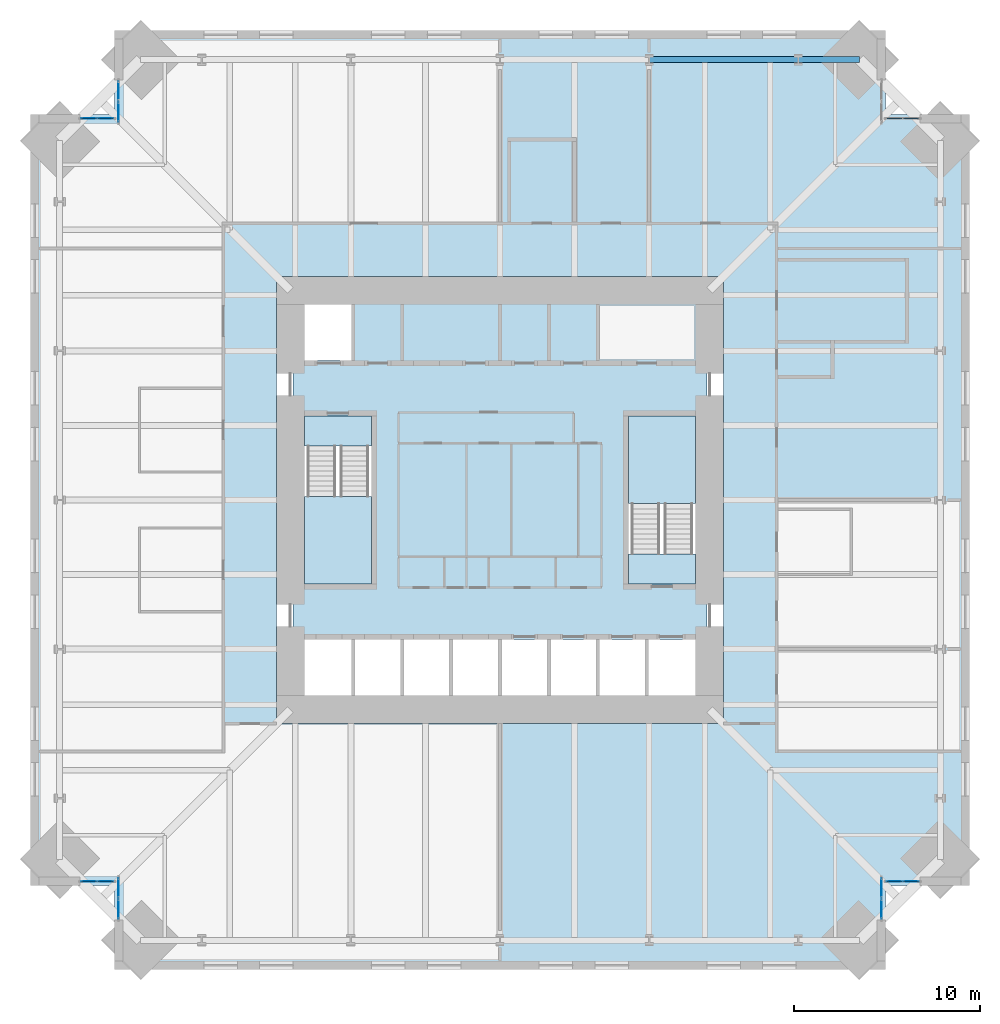
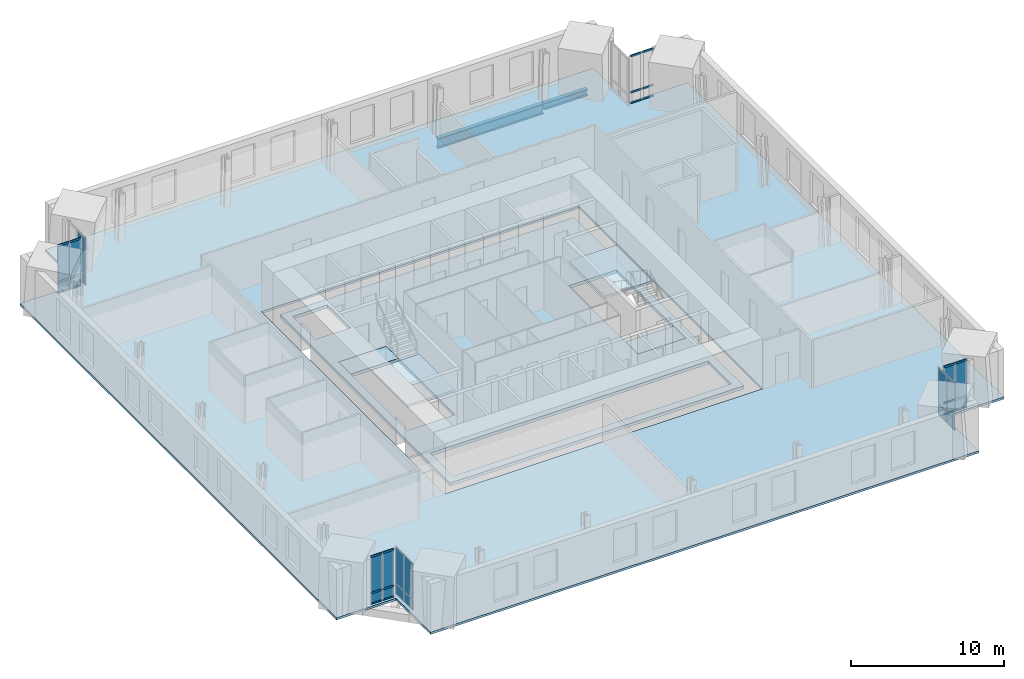
# One storey, part 9 of 15: 24 members, 23 plates, 6 slabs, 2 beams, 9 elements without a shape of their own.
"""IFC4 building model written with IfcOpenShell, lengths in metres."""

import ifcopenshell
import ifcopenshell.guid

model = None  # the IFC model being written
_history = None  # IfcOwnerHistory: only IFC2X3 demands one
_inside = {}  # id of a spatial element -> (the spatial element, [elements in it])
_under = {}  # id of a project, library or spatial element -> (it, [spatial elements below it])
_declared = {}  # id of a project -> (the project, [libraries it declares])
_typed = {}  # id of a type object -> (the type object, [elements of that type])
_made_of = {}  # id of a material, layer set ... -> (it, [elements and type objects made of it])


def new_model(schema):
    """Start an empty IFC model of exactly this schema.

    Asked for "IFC4X3", IfcOpenShell would pick the latest addendum, in which some entities
    have other attributes; the version numbers below select the first issue.
    IFC2X3 requires an IfcOwnerHistory on every rooted entity: one is made here for all.
    """
    global model, _history
    if schema == "IFC4X3":
        model = ifcopenshell.file(schema_version=(4, 3, 0, 0))
    else:
        model = ifcopenshell.file(schema=schema)
    _inside.clear()
    _under.clear()
    _declared.clear()
    _typed.clear()
    _made_of.clear()
    _history = None
    if model.schema == "IFC2X3":
        org = make("IfcOrganization", Name="unknown")
        user = make(
            "IfcPersonAndOrganization",
            ThePerson=make("IfcPerson", FamilyName="unknown"),
            TheOrganization=org,
        )
        app = make(
            "IfcApplication",
            ApplicationDeveloper=org,
            Version="unknown",
            ApplicationFullName="unknown",
            ApplicationIdentifier="unknown",
        )
        _history = make(
            "IfcOwnerHistory",
            OwningUser=user,
            OwningApplication=app,
            ChangeAction="ADDED",
            CreationDate=0,
        )
    return model


def make(cls, **values):
    """One entity of the class cls with the attributes given. An attribute that is None is left unset."""
    return model.create_entity(
        cls, **{name: value for name, value in values.items() if value is not None}
    )


def rooted(cls, **values):
    """An entity with a GlobalId (a new one), such as an element, a storey or a relation."""
    return make(cls, GlobalId=ifcopenshell.guid.new(), OwnerHistory=_history, **values)


def si_unit(unit_type, name, prefix=None):
    """IfcSIUnit, for example si_unit("LENGTHUNIT", "METRE", prefix="MILLI")."""
    return make("IfcSIUnit", UnitType=unit_type, Prefix=prefix, Name=name)


def assignment(units):
    """IfcUnitAssignment: the units of a project."""
    return None if units is None else make("IfcUnitAssignment", Units=units)


def point(xyz):
    """IfcCartesianPoint."""
    return None if xyz is None else make("IfcCartesianPoint", Coordinates=xyz)


def direction(xyz):
    """IfcDirection."""
    return None if xyz is None else make("IfcDirection", DirectionRatios=xyz)


def frame(location, z_axis=None, x_axis=None):
    """IfcAxis2Placement3D, a coordinate frame: its origin and axes. An axis left out is left unset."""
    return make(
        "IfcAxis2Placement3D",
        Location=point(location),
        Axis=direction(z_axis),
        RefDirection=direction(x_axis),
    )


def frame_2d(location, x_axis=None):
    """IfcAxis2Placement2D, a coordinate frame in the plane: its origin and x axis."""
    return make(
        "IfcAxis2Placement2D", Location=point(location), RefDirection=direction(x_axis)
    )


def origin():
    """The frame at (0, 0, 0) with its axes left unset."""
    return frame((0.0, 0.0, 0.0))


def origin_2d():
    """The frame at (0, 0) in the plane with its x axis left unset."""
    return frame_2d((0.0, 0.0))


def place(relative_to, where):
    """IfcLocalPlacement: puts the frame where relative to a parent placement (None: the world)."""
    return make(
        "IfcLocalPlacement", PlacementRelTo=relative_to, RelativePlacement=where
    )


def context(
    kind, dimensions, precision=None, world=None, true_north=None, identifier=None
):
    """IfcGeometricRepresentationContext, for example the 3D "Model" context."""
    return make(
        "IfcGeometricRepresentationContext",
        ContextIdentifier=identifier,
        ContextType=kind,
        CoordinateSpaceDimension=dimensions,
        Precision=precision,
        WorldCoordinateSystem=world,
        TrueNorth=true_north,
    )


def subcontext(parent, identifier, kind, view, scale=None):
    """IfcGeometricRepresentationSubContext, for example "Body" below "Model"."""
    return make(
        "IfcGeometricRepresentationSubContext",
        ContextIdentifier=identifier,
        ContextType=kind,
        ParentContext=parent,
        TargetScale=scale,
        TargetView=view,
    )


def project(units=None, contexts=None):
    """IfcProject with its units and contexts."""
    return rooted(
        "IfcProject",
        Name="project",
        RepresentationContexts=contexts,
        UnitsInContext=assignment(units),
    )


def spatial(cls, under=None, at=None, **own):
    """A site, building, storey or space (cls), placed at a placement, below another one or the project."""
    s = rooted(cls, ObjectPlacement=at, **own)
    if under is not None:
        _under.setdefault(under.id(), (under, []))[1].append(s)
    return s


def polyline(points):
    """IfcPolyline through the points."""
    return make("IfcPolyline", Points=[point(p) for p in points])


def profile(cls, at=None, kind="AREA", **sizes):
    """A parametric profile (cls). Its sizes go by their IFC names, for example OverallWidth=200.0."""
    return make(cls, ProfileType=kind, Position=at, **sizes)


def rectangle(**sizes):
    """IfcRectangleProfileDef."""
    return profile("IfcRectangleProfileDef", **sizes)


def hollow_rectangle(**sizes):
    """IfcRectangleHollowProfileDef."""
    return profile("IfcRectangleHollowProfileDef", **sizes)


def i_section(**sizes):
    """IfcIShapeProfileDef."""
    return profile("IfcIShapeProfileDef", **sizes)


def outline(outer, holes=None, kind="AREA"):
    """IfcArbitraryClosedProfileDef: a profile drawn as a closed curve; with holes, ...WithVoids."""
    if holes is None:
        return make("IfcArbitraryClosedProfileDef", ProfileType=kind, OuterCurve=outer)
    return make(
        "IfcArbitraryProfileDefWithVoids",
        ProfileType=kind,
        OuterCurve=outer,
        InnerCurves=holes,
    )


def extrude(swept, where, along, depth):
    """IfcExtrudedAreaSolid: the profile swept, set in the frame where, extruded along a direction by depth."""
    return make(
        "IfcExtrudedAreaSolid",
        SweptArea=swept,
        Position=where,
        ExtrudedDirection=direction(along),
        Depth=depth,
    )


def shape(context_of_items, identifier, shape_type, items):
    """IfcShapeRepresentation: the items that make up one representation, for example the "Body"."""
    return make(
        "IfcShapeRepresentation",
        ContextOfItems=context_of_items,
        RepresentationIdentifier=identifier,
        RepresentationType=shape_type,
        Items=items,
    )


def material(Name=None, Category=None):
    """IfcMaterial."""
    return make("IfcMaterial", Name=Name, Category=Category)


def layer(
    of_material, thickness, ventilated=None, Name=None, Category=None, Priority=None
):
    """IfcMaterialLayer: one layer of a wall or slab, of a material (None: an air gap)."""
    return make(
        "IfcMaterialLayer",
        Material=of_material,
        LayerThickness=thickness,
        IsVentilated=ventilated,
        Name=Name,
        Category=Category,
        Priority=Priority,
    )


def layer_set(layers, Name=None):
    """IfcMaterialLayerSet."""
    return make("IfcMaterialLayerSet", MaterialLayers=layers, LayerSetName=Name)


def material_profile(
    of_material, cross_section, Name=None, Category=None, Priority=None
):
    """IfcMaterialProfile: a cross section and its material."""
    return make(
        "IfcMaterialProfile",
        Name=Name,
        Material=of_material,
        Profile=cross_section,
        Priority=Priority,
        Category=Category,
    )


def profile_set(profiles, Name=None, composite=None):
    """IfcMaterialProfileSet."""
    return make(
        "IfcMaterialProfileSet",
        Name=Name,
        MaterialProfiles=profiles,
        CompositeProfile=composite,
    )


def made_of(thing, what):
    """Note that an element or type object is made of a material, layer set ...; save() writes the relation."""
    if what is not None:
        _made_of.setdefault(what.id(), (what, []))[1].append(thing)
    return thing


def type_object(cls, material=None, **own):
    """A type object (cls), such as IfcWallType, which elements share."""
    return made_of(rooted(cls, **own), material)


def element(
    cls,
    number,
    at=None,
    inside=None,
    cuts=None,
    type_object=None,
    material=None,
    context=None,
    identifier="Body",
    shape_type=None,
    held_by="IfcProductDefinitionShape",
    body=None,
    shapes=None,
    **own,
):
    """One element of the class cls, such as IfcWall. Its Tag is "e" and its number.

    at: its placement. inside: the storey or other place that contains it. cuts: it is an
    opening in that element (IfcRelVoidsElement). A single representation is given by context,
    identifier, shape_type and body (its items); several are given by shapes. held_by: the class
    of the entity that holds the representations. save() writes the other relations.
    """
    e = rooted(cls, Tag="e%d" % number, ObjectPlacement=at, **own)
    if body is not None:
        shapes = [shape(context, identifier, shape_type, body)]
    if shapes is not None:
        e.Representation = make(held_by, Representations=shapes)
    if inside is not None:
        _inside.setdefault(inside.id(), (inside, []))[1].append(e)
    if cuts is not None:
        rooted(
            "IfcRelVoidsElement", RelatingBuildingElement=cuts, RelatedOpeningElement=e
        )
    if type_object is not None:
        _typed.setdefault(type_object.id(), (type_object, []))[1].append(e)
    return made_of(e, material)


def aggregate(whole, parts):
    """IfcRelAggregates: a whole, such as a stair, and the parts it consists of."""
    return rooted("IfcRelAggregates", RelatingObject=whole, RelatedObjects=parts)


def save(model, path):
    """Write the relations noted so far, then the file.

    IfcRelAggregates (storeys below a building ...), IfcRelContainedInSpatialStructure (elements
    in a storey), IfcRelDefinesByType, IfcRelAssociatesMaterial and IfcRelDeclares: one each for
    every whole, place, type object, material and project.
    """
    for whole, parts in _under.values():
        aggregate(whole, parts)
    for where, things in _inside.values():
        rooted(
            "IfcRelContainedInSpatialStructure",
            RelatedElements=things,
            RelatingStructure=where,
        )
    for kind, things in _typed.values():
        rooted("IfcRelDefinesByType", RelatedObjects=things, RelatingType=kind)
    for what, things in _made_of.values():
        rooted("IfcRelAssociatesMaterial", RelatedObjects=things, RelatingMaterial=what)
    for by, libraries in _declared.values():
        rooted("IfcRelDeclares", RelatingContext=by, RelatedDefinitions=libraries)
    model.write(path)


model = new_model("IFC4")

# Units and contexts
model_context = context("Model", 3, precision=1e-05, world=origin(), true_north=direction((0.0, 1.0)))
body_context = subcontext(model_context, "Body", "Model", "MODEL_VIEW")
ifc_project = project(units=[si_unit("LENGTHUNIT", "METRE"), si_unit("AREAUNIT", "SQUARE_METRE"), si_unit("VOLUMEUNIT", "CUBIC_METRE"), si_unit("PLANEANGLEUNIT", "RADIAN"), si_unit("MASSUNIT", "GRAM", prefix="KILO")], contexts=[model_context])

# Site, building, storey
site_placement = place(None, origin())
site = spatial("IfcSite", under=ifc_project, at=site_placement, CompositionType="ELEMENT")
building_placement = place(site_placement, origin())
building = spatial("IfcBuilding", under=site, at=building_placement, Name="Peilmerk Tower", CompositionType="ELEMENT")
storey_placement = place(building_placement, frame((0.0, 0.0, 179.800048828125)))
storey = spatial("IfcBuildingStorey", under=building, at=storey_placement, Name="L38", CompositionType="ELEMENT", Elevation=179.800048828125)

# Beams
ifc_material_1 = material(Name="Steel S355", Category="steel")
ifc_material_profile_1 = material_profile(ifc_material_1, i_section(OverallWidth=0.302978515625, OverallDepth=0.81396484375, WebThickness=0.02099609375, FlangeThickness=0.0400390625, at=origin_2d()), Name="HEM 800")
ifc_profile_set_1 = profile_set([ifc_material_profile_1], Name="Steel S355")
beam_type_1 = type_object("IfcBeamType", Name="B15 HEM 800 edge beam", PredefinedType="SPANDREL", material=ifc_profile_set_1)
beam_1_placement = place(storey_placement, frame((16.0, 23.646728515625, -0.5771484375), z_axis=(-1.0, 0.0, 0.0), x_axis=(0.0, -1.0, 0.0)))
element("IfcBeam", 1, at=beam_1_placement, inside=storey, type_object=beam_type_1, Name="Edge beam L38", PredefinedType="SPANDREL", context=body_context, shape_type="SweptSolid", body=[
    extrude(i_section(OverallWidth=0.302978515625, OverallDepth=0.81396484375, WebThickness=0.02099609375, FlangeThickness=0.0400390625, at=origin_2d()), origin(), (0.0, 0.0, 1.0), 8.0),
])
ifc_material_profile_2 = material_profile(ifc_material_1, i_section(OverallWidth=0.305908203125, OverallDepth=0.52392578125, WebThickness=0.02099609375, FlangeThickness=0.0400390625, at=origin_2d()), Name="HEM 500")
ifc_profile_set_2 = profile_set([ifc_material_profile_2], Name="Steel S355")
beam_type_2 = type_object("IfcBeamType", Name="B33 HEM 500 edge beam", PredefinedType="SPANDREL", material=ifc_profile_set_2)
beam_2_placement = place(storey_placement, frame((19.296875, 23.646728515625, -0.43212890625), z_axis=(-1.0, 0.0, 0.0), x_axis=(0.0, -1.0, 0.0)))
element("IfcBeam", 2, at=beam_2_placement, inside=storey, type_object=beam_type_2, Name="Edge beam L38", PredefinedType="SPANDREL", context=body_context, shape_type="SweptSolid", body=[
    extrude(i_section(OverallWidth=0.305908203125, OverallDepth=0.52392578125, WebThickness=0.02099609375, FlangeThickness=0.0400390625, at=origin_2d()), origin(), (0.0, 0.0, 1.0), 3.296875),
])

# Curtain wall, members
ifc_material_2 = material(Name="Aluminium stick curtain wall", Category="aluminium")
curtain_wall_type = type_object("IfcCurtainWallType", Name="CW3 stick curtain wall, 2250 module", PredefinedType="NOTDEFINED", material=ifc_material_2)
curtain_wall_1_placement = place(storey_placement, origin())
curtain_wall_1 = element("IfcCurtainWall", 3, at=curtain_wall_1_placement, inside=storey, type_object=curtain_wall_type, Name="Curtain wall CW3 NEB L38", PredefinedType="NOTDEFINED")
ifc_material_3 = material(Name="Aluminium EN AW-6063 T6", Category="aluminium")
ifc_material_profile_3 = material_profile(ifc_material_3, hollow_rectangle(XDim=0.06494140625, YDim=0.14990234375, WallThickness=0.0029296875, at=origin_2d()), Name="AL 150x65x3")
ifc_profile_set_3 = profile_set([ifc_material_profile_3], Name="Aluminium EN AW-6063 T6")
member_type = type_object("IfcMemberType", Name="CW3-T AL 150x65x3 transom", PredefinedType="USERDEFINED", material=ifc_profile_set_3)
member_1_placement = place(storey_placement, frame((20.764892578125, 20.47509765625, 0.032470703125), z_axis=(1.0, 0.0, 0.0), x_axis=(0.0, 1.0, 0.0)))
member_1 = element("IfcMember", 4, at=member_1_placement, type_object=member_type, Name="CW3 transom 1.1", ObjectType="TRANSOM", PredefinedType="USERDEFINED", context=body_context, shape_type="SweptSolid", body=[
    extrude(hollow_rectangle(XDim=0.06494140625, YDim=0.14990234375, WallThickness=0.0029296875, at=origin_2d()), origin(), (0.0, 0.0, 1.0), 0.822021484375),
])
member_2_placement = place(storey_placement, frame((20.764892578125, 20.47509765625, 0.89990234375), z_axis=(1.0, 0.0, 0.0), x_axis=(0.0, 1.0, 0.0)))
member_2 = element("IfcMember", 5, at=member_2_placement, type_object=member_type, Name="CW3 transom 1.2", ObjectType="TRANSOM", PredefinedType="USERDEFINED", context=body_context, shape_type="SweptSolid", body=[
    extrude(hollow_rectangle(XDim=0.06494140625, YDim=0.14990234375, WallThickness=0.0029296875, at=origin_2d()), origin(), (0.0, 0.0, 1.0), 0.822021484375),
])
member_3_placement = place(storey_placement, frame((20.764892578125, 20.47509765625, 3.79736328125), z_axis=(1.0, 0.0, 0.0), x_axis=(0.0, 1.0, 0.0)))
member_3 = element("IfcMember", 6, at=member_3_placement, type_object=member_type, Name="CW3 transom 1.3", ObjectType="TRANSOM", PredefinedType="USERDEFINED", context=body_context, shape_type="SweptSolid", body=[
    extrude(hollow_rectangle(XDim=0.06494140625, YDim=0.14990234375, WallThickness=0.0029296875, at=origin_2d()), origin(), (0.0, 0.0, 1.0), 0.822021484375),
])
member_4_placement = place(storey_placement, frame((21.65185546875, 20.47509765625, 0.032470703125), z_axis=(1.0, 0.0, 0.0), x_axis=(0.0, 1.0, 0.0)))
member_4 = element("IfcMember", 7, at=member_4_placement, type_object=member_type, Name="CW3 transom 2.1", ObjectType="TRANSOM", PredefinedType="USERDEFINED", context=body_context, shape_type="SweptSolid", body=[
    extrude(hollow_rectangle(XDim=0.06494140625, YDim=0.14990234375, WallThickness=0.0029296875, at=origin_2d()), origin(), (0.0, 0.0, 1.0), 0.82177734375),
])
member_5_placement = place(storey_placement, frame((21.65185546875, 20.47509765625, 0.89990234375), z_axis=(1.0, 0.0, 0.0), x_axis=(0.0, 1.0, 0.0)))
member_5 = element("IfcMember", 8, at=member_5_placement, type_object=member_type, Name="CW3 transom 2.2", ObjectType="TRANSOM", PredefinedType="USERDEFINED", context=body_context, shape_type="SweptSolid", body=[
    extrude(hollow_rectangle(XDim=0.06494140625, YDim=0.14990234375, WallThickness=0.0029296875, at=origin_2d()), origin(), (0.0, 0.0, 1.0), 0.82177734375),
])
member_6_placement = place(storey_placement, frame((21.65185546875, 20.47509765625, 3.79736328125), z_axis=(1.0, 0.0, 0.0), x_axis=(0.0, 1.0, 0.0)))
member_6 = element("IfcMember", 9, at=member_6_placement, type_object=member_type, Name="CW3 transom 2.3", ObjectType="TRANSOM", PredefinedType="USERDEFINED", context=body_context, shape_type="SweptSolid", body=[
    extrude(hollow_rectangle(XDim=0.06494140625, YDim=0.14990234375, WallThickness=0.0029296875, at=origin_2d()), origin(), (0.0, 0.0, 1.0), 0.82177734375),
])
aggregate(curtain_wall_1, [member_1, member_2, member_3, member_4, member_5, member_6])

curtain_wall_2_placement = place(storey_placement, origin())
curtain_wall_2 = element("IfcCurtainWall", 10, at=curtain_wall_2_placement, inside=storey, type_object=curtain_wall_type, Name="Curtain wall CW3 SEB L38", PredefinedType="NOTDEFINED")
member_7_placement = place(storey_placement, frame((20.764892578125, -20.47509765625, 0.032470703125), z_axis=(1.0, 0.0, 0.0), x_axis=(0.0, 1.0, 0.0)))
member_7 = element("IfcMember", 11, at=member_7_placement, type_object=member_type, Name="CW3 transom 1.1", ObjectType="TRANSOM", PredefinedType="USERDEFINED", context=body_context, shape_type="SweptSolid", body=[
    extrude(hollow_rectangle(XDim=0.06494140625, YDim=0.14990234375, WallThickness=0.0029296875, at=origin_2d()), origin(), (0.0, 0.0, 1.0), 0.822021484375),
])
member_8_placement = place(storey_placement, frame((20.764892578125, -20.47509765625, 0.89990234375), z_axis=(1.0, 0.0, 0.0), x_axis=(0.0, 1.0, 0.0)))
member_8 = element("IfcMember", 12, at=member_8_placement, type_object=member_type, Name="CW3 transom 1.2", ObjectType="TRANSOM", PredefinedType="USERDEFINED", context=body_context, shape_type="SweptSolid", body=[
    extrude(hollow_rectangle(XDim=0.06494140625, YDim=0.14990234375, WallThickness=0.0029296875, at=origin_2d()), origin(), (0.0, 0.0, 1.0), 0.822021484375),
])
member_9_placement = place(storey_placement, frame((20.764892578125, -20.47509765625, 3.79736328125), z_axis=(1.0, 0.0, 0.0), x_axis=(0.0, 1.0, 0.0)))
member_9 = element("IfcMember", 13, at=member_9_placement, type_object=member_type, Name="CW3 transom 1.3", ObjectType="TRANSOM", PredefinedType="USERDEFINED", context=body_context, shape_type="SweptSolid", body=[
    extrude(hollow_rectangle(XDim=0.06494140625, YDim=0.14990234375, WallThickness=0.0029296875, at=origin_2d()), origin(), (0.0, 0.0, 1.0), 0.822021484375),
])
member_10_placement = place(storey_placement, frame((21.65185546875, -20.47509765625, 0.032470703125), z_axis=(1.0, 0.0, 0.0), x_axis=(0.0, 1.0, 0.0)))
member_10 = element("IfcMember", 14, at=member_10_placement, type_object=member_type, Name="CW3 transom 2.1", ObjectType="TRANSOM", PredefinedType="USERDEFINED", context=body_context, shape_type="SweptSolid", body=[
    extrude(hollow_rectangle(XDim=0.06494140625, YDim=0.14990234375, WallThickness=0.0029296875, at=origin_2d()), origin(), (0.0, 0.0, 1.0), 0.82177734375),
])
member_11_placement = place(storey_placement, frame((21.65185546875, -20.47509765625, 0.89990234375), z_axis=(1.0, 0.0, 0.0), x_axis=(0.0, 1.0, 0.0)))
member_11 = element("IfcMember", 15, at=member_11_placement, type_object=member_type, Name="CW3 transom 2.2", ObjectType="TRANSOM", PredefinedType="USERDEFINED", context=body_context, shape_type="SweptSolid", body=[
    extrude(hollow_rectangle(XDim=0.06494140625, YDim=0.14990234375, WallThickness=0.0029296875, at=origin_2d()), origin(), (0.0, 0.0, 1.0), 0.82177734375),
])
member_12_placement = place(storey_placement, frame((21.65185546875, -20.47509765625, 3.79736328125), z_axis=(1.0, 0.0, 0.0), x_axis=(0.0, 1.0, 0.0)))
member_12 = element("IfcMember", 16, at=member_12_placement, type_object=member_type, Name="CW3 transom 2.3", ObjectType="TRANSOM", PredefinedType="USERDEFINED", context=body_context, shape_type="SweptSolid", body=[
    extrude(hollow_rectangle(XDim=0.06494140625, YDim=0.14990234375, WallThickness=0.0029296875, at=origin_2d()), origin(), (0.0, 0.0, 1.0), 0.82177734375),
])

curtain_wall_3_placement = place(storey_placement, origin())
curtain_wall_3 = element("IfcCurtainWall", 17, at=curtain_wall_3_placement, inside=storey, type_object=curtain_wall_type, Name="Curtain wall CW3 SWB L38", PredefinedType="NOTDEFINED")
member_13_placement = place(storey_placement, frame((-20.764892578125, -20.47509765625, 0.032470703125), z_axis=(-1.0, 0.0, 0.0), x_axis=(0.0, -1.0, 0.0)))
member_13 = element("IfcMember", 18, at=member_13_placement, type_object=member_type, Name="CW3 transom 1.1", ObjectType="TRANSOM", PredefinedType="USERDEFINED", context=body_context, shape_type="SweptSolid", body=[
    extrude(hollow_rectangle(XDim=0.06494140625, YDim=0.14990234375, WallThickness=0.0029296875, at=origin_2d()), origin(), (0.0, 0.0, 1.0), 0.822021484375),
])
member_14_placement = place(storey_placement, frame((-20.764892578125, -20.47509765625, 0.89990234375), z_axis=(-1.0, 0.0, 0.0), x_axis=(0.0, -1.0, 0.0)))
member_14 = element("IfcMember", 19, at=member_14_placement, type_object=member_type, Name="CW3 transom 1.2", ObjectType="TRANSOM", PredefinedType="USERDEFINED", context=body_context, shape_type="SweptSolid", body=[
    extrude(hollow_rectangle(XDim=0.06494140625, YDim=0.14990234375, WallThickness=0.0029296875, at=origin_2d()), origin(), (0.0, 0.0, 1.0), 0.822021484375),
])
member_15_placement = place(storey_placement, frame((-20.764892578125, -20.47509765625, 3.79736328125), z_axis=(-1.0, 0.0, 0.0), x_axis=(0.0, -1.0, 0.0)))
member_15 = element("IfcMember", 20, at=member_15_placement, type_object=member_type, Name="CW3 transom 1.3", ObjectType="TRANSOM", PredefinedType="USERDEFINED", context=body_context, shape_type="SweptSolid", body=[
    extrude(hollow_rectangle(XDim=0.06494140625, YDim=0.14990234375, WallThickness=0.0029296875, at=origin_2d()), origin(), (0.0, 0.0, 1.0), 0.822021484375),
])
member_16_placement = place(storey_placement, frame((-21.65185546875, -20.47509765625, 0.032470703125), z_axis=(-1.0, 0.0, 0.0), x_axis=(0.0, -1.0, 0.0)))
member_16 = element("IfcMember", 21, at=member_16_placement, type_object=member_type, Name="CW3 transom 2.1", ObjectType="TRANSOM", PredefinedType="USERDEFINED", context=body_context, shape_type="SweptSolid", body=[
    extrude(hollow_rectangle(XDim=0.06494140625, YDim=0.14990234375, WallThickness=0.0029296875, at=origin_2d()), origin(), (0.0, 0.0, 1.0), 0.82177734375),
])
member_17_placement = place(storey_placement, frame((-21.65185546875, -20.47509765625, 0.89990234375), z_axis=(-1.0, 0.0, 0.0), x_axis=(0.0, -1.0, 0.0)))
member_17 = element("IfcMember", 22, at=member_17_placement, type_object=member_type, Name="CW3 transom 2.2", ObjectType="TRANSOM", PredefinedType="USERDEFINED", context=body_context, shape_type="SweptSolid", body=[
    extrude(hollow_rectangle(XDim=0.06494140625, YDim=0.14990234375, WallThickness=0.0029296875, at=origin_2d()), origin(), (0.0, 0.0, 1.0), 0.82177734375),
])
member_18_placement = place(storey_placement, frame((-21.65185546875, -20.47509765625, 3.79736328125), z_axis=(-1.0, 0.0, 0.0), x_axis=(0.0, -1.0, 0.0)))
member_18 = element("IfcMember", 23, at=member_18_placement, type_object=member_type, Name="CW3 transom 2.3", ObjectType="TRANSOM", PredefinedType="USERDEFINED", context=body_context, shape_type="SweptSolid", body=[
    extrude(hollow_rectangle(XDim=0.06494140625, YDim=0.14990234375, WallThickness=0.0029296875, at=origin_2d()), origin(), (0.0, 0.0, 1.0), 0.82177734375),
])

curtain_wall_4_placement = place(storey_placement, origin())
curtain_wall_4 = element("IfcCurtainWall", 24, at=curtain_wall_4_placement, inside=storey, type_object=curtain_wall_type, Name="Curtain wall CW3 NWB L38", PredefinedType="NOTDEFINED")
member_19_placement = place(storey_placement, frame((-20.764892578125, 20.47509765625, 0.032470703125), z_axis=(-1.0, 0.0, 0.0), x_axis=(0.0, -1.0, 0.0)))
member_19 = element("IfcMember", 25, at=member_19_placement, type_object=member_type, Name="CW3 transom 1.1", ObjectType="TRANSOM", PredefinedType="USERDEFINED", context=body_context, shape_type="SweptSolid", body=[
    extrude(hollow_rectangle(XDim=0.06494140625, YDim=0.14990234375, WallThickness=0.0029296875, at=origin_2d()), origin(), (0.0, 0.0, 1.0), 0.822021484375),
])
member_20_placement = place(storey_placement, frame((-20.764892578125, 20.47509765625, 0.89990234375), z_axis=(-1.0, 0.0, 0.0), x_axis=(0.0, -1.0, 0.0)))
member_20 = element("IfcMember", 26, at=member_20_placement, type_object=member_type, Name="CW3 transom 1.2", ObjectType="TRANSOM", PredefinedType="USERDEFINED", context=body_context, shape_type="SweptSolid", body=[
    extrude(hollow_rectangle(XDim=0.06494140625, YDim=0.14990234375, WallThickness=0.0029296875, at=origin_2d()), origin(), (0.0, 0.0, 1.0), 0.822021484375),
])
member_21_placement = place(storey_placement, frame((-20.764892578125, 20.47509765625, 3.79736328125), z_axis=(-1.0, 0.0, 0.0), x_axis=(0.0, -1.0, 0.0)))
member_21 = element("IfcMember", 27, at=member_21_placement, type_object=member_type, Name="CW3 transom 1.3", ObjectType="TRANSOM", PredefinedType="USERDEFINED", context=body_context, shape_type="SweptSolid", body=[
    extrude(hollow_rectangle(XDim=0.06494140625, YDim=0.14990234375, WallThickness=0.0029296875, at=origin_2d()), origin(), (0.0, 0.0, 1.0), 0.822021484375),
])
member_22_placement = place(storey_placement, frame((-21.65185546875, 20.47509765625, 0.032470703125), z_axis=(-1.0, 0.0, 0.0), x_axis=(0.0, -1.0, 0.0)))
member_22 = element("IfcMember", 28, at=member_22_placement, type_object=member_type, Name="CW3 transom 2.1", ObjectType="TRANSOM", PredefinedType="USERDEFINED", context=body_context, shape_type="SweptSolid", body=[
    extrude(hollow_rectangle(XDim=0.06494140625, YDim=0.14990234375, WallThickness=0.0029296875, at=origin_2d()), origin(), (0.0, 0.0, 1.0), 0.82177734375),
])
member_23_placement = place(storey_placement, frame((-21.65185546875, 20.47509765625, 0.89990234375), z_axis=(-1.0, 0.0, 0.0), x_axis=(0.0, -1.0, 0.0)))
member_23 = element("IfcMember", 29, at=member_23_placement, type_object=member_type, Name="CW3 transom 2.2", ObjectType="TRANSOM", PredefinedType="USERDEFINED", context=body_context, shape_type="SweptSolid", body=[
    extrude(hollow_rectangle(XDim=0.06494140625, YDim=0.14990234375, WallThickness=0.0029296875, at=origin_2d()), origin(), (0.0, 0.0, 1.0), 0.82177734375),
])
member_24_placement = place(storey_placement, frame((-21.65185546875, 20.47509765625, 3.79736328125), z_axis=(-1.0, 0.0, 0.0), x_axis=(0.0, -1.0, 0.0)))
member_24 = element("IfcMember", 30, at=member_24_placement, type_object=member_type, Name="CW3 transom 2.3", ObjectType="TRANSOM", PredefinedType="USERDEFINED", context=body_context, shape_type="SweptSolid", body=[
    extrude(hollow_rectangle(XDim=0.06494140625, YDim=0.14990234375, WallThickness=0.0029296875, at=origin_2d()), origin(), (0.0, 0.0, 1.0), 0.82177734375),
])

# Slab
ifc_material_4 = material(Name="Concrete C55/67", Category="concrete")
ifc_layer_1 = layer(ifc_material_4, 0.25)
ifc_layer_set_1 = layer_set([ifc_layer_1], Name="Concrete C55/67")
slab_type_1 = type_object("IfcSlabType", Name="CS250 250 core floor slab", PredefinedType="FLOOR", material=ifc_layer_set_1)
slab_1_placement = place(storey_placement, frame((0.0, 0.0, -0.25)))
element("IfcSlab", 31, at=slab_1_placement, inside=storey, type_object=slab_type_1, Name="Core slab L38", PredefinedType="FLOOR", context=body_context, shape_type="SweptSolid", body=[
    extrude(outline(polyline([(11.10009765625, 11.10009765625), (-11.10009765625, 11.10009765625), (-11.10009765625, -11.10009765625), (11.10009765625, -11.10009765625), (11.10009765625, 11.10009765625)]), holes=[polyline([(-10.5, 7.5), (-10.5, 10.5), (-7.875, 10.5), (-7.875, 7.5), (-10.5, 7.5)]), polyline([(-10.5, -10.5), (-10.5, -7.5), (10.5, -7.5), (10.5, -10.5), (-10.5, -10.5)]), polyline([(-10.5, 4.5), (-6.89990234375, 4.5), (-6.89990234375, -4.5), (-10.5, -4.5), (-10.5, 4.5)]), polyline([(10.5, 4.5), (10.5, -4.5), (6.89990234375, -4.5), (6.89990234375, 4.5), (10.5, 4.5)])]), origin(), (0.0, 0.0, 1.0), 0.25),
])

# Curtain wall, plates
curtain_wall_5_placement = place(storey_placement, origin())
curtain_wall_5 = element("IfcCurtainWall", 32, at=curtain_wall_5_placement, inside=storey, type_object=curtain_wall_type, Name="Curtain wall CW3 SEA L38", PredefinedType="NOTDEFINED")
ifc_material_5 = material(Name="Clear insulated glazing unit", Category="glass")
ifc_layer_2 = layer(ifc_material_5, 0.028076171875)
ifc_layer_set_2 = layer_set([ifc_layer_2], Name="Clear insulated glazing unit")
plate_type = type_object("IfcPlateType", Name="CW3-P 28 glazed panel", PredefinedType="CURTAIN_PANEL", material=ifc_layer_set_2)
plate_1_placement = place(storey_placement, frame((20.47509765625, -20.83837890625, 0.06494140625), z_axis=(0.0, 0.0, 1.0), x_axis=(0.0, -1.0, 0.0)))
plate_1 = element("IfcPlate", 33, at=plate_1_placement, type_object=plate_type, Name="CW3 panel 1.1", PredefinedType="CURTAIN_PANEL", context=body_context, shape_type="SweptSolid", body=[
    extrude(rectangle(XDim=1.046875, YDim=0.028076171875, at=origin_2d()), origin(), (0.0, 0.0, 1.0), 0.802490234375),
])
plate_2_placement = place(storey_placement, frame((20.47509765625, -20.83837890625, 0.932373046875), z_axis=(0.0, 0.0, 1.0), x_axis=(0.0, -1.0, 0.0)))
plate_2 = element("IfcPlate", 34, at=plate_2_placement, type_object=plate_type, Name="CW3 panel 1.2", PredefinedType="CURTAIN_PANEL", context=body_context, shape_type="SweptSolid", body=[
    extrude(rectangle(XDim=1.046875, YDim=0.028076171875, at=origin_2d()), origin(), (0.0, 0.0, 1.0), 2.83251953125),
])
plate_3_placement = place(storey_placement, frame((20.47509765625, -21.9501953125, 0.06494140625), z_axis=(0.0, 0.0, 1.0), x_axis=(0.0, -1.0, 0.0)))
plate_3 = element("IfcPlate", 35, at=plate_3_placement, type_object=plate_type, Name="CW3 panel 2.1", PredefinedType="CURTAIN_PANEL", context=body_context, shape_type="SweptSolid", body=[
    extrude(rectangle(XDim=1.046875, YDim=0.028076171875, at=origin_2d()), origin(), (0.0, 0.0, 1.0), 0.802490234375),
])
plate_4_placement = place(storey_placement, frame((20.47509765625, -21.9501953125, 0.932373046875), z_axis=(0.0, 0.0, 1.0), x_axis=(0.0, -1.0, 0.0)))
plate_4 = element("IfcPlate", 36, at=plate_4_placement, type_object=plate_type, Name="CW3 panel 2.2", PredefinedType="CURTAIN_PANEL", context=body_context, shape_type="SweptSolid", body=[
    extrude(rectangle(XDim=1.046875, YDim=0.028076171875, at=origin_2d()), origin(), (0.0, 0.0, 1.0), 2.83251953125),
])
aggregate(curtain_wall_5, [plate_1, plate_2, plate_3, plate_4])

# Plate
plate_5_placement = place(storey_placement, frame((21.176025390625, -20.47509765625, 0.06494140625), z_axis=(0.0, 0.0, 1.0), x_axis=(1.0, 0.0, 0.0)))
plate_5 = element("IfcPlate", 37, at=plate_5_placement, type_object=plate_type, Name="CW3 panel 1.1", PredefinedType="CURTAIN_PANEL", context=body_context, shape_type="SweptSolid", body=[
    extrude(rectangle(XDim=0.82177734375, YDim=0.028076171875, at=origin_2d()), origin(), (0.0, 0.0, 1.0), 0.802490234375),
])

plate_6_placement = place(storey_placement, frame((21.176025390625, -20.47509765625, 0.932373046875), z_axis=(0.0, 0.0, 1.0), x_axis=(1.0, 0.0, 0.0)))
plate_6 = element("IfcPlate", 38, at=plate_6_placement, type_object=plate_type, Name="CW3 panel 1.2", PredefinedType="CURTAIN_PANEL", context=body_context, shape_type="SweptSolid", body=[
    extrude(rectangle(XDim=0.82177734375, YDim=0.028076171875, at=origin_2d()), origin(), (0.0, 0.0, 1.0), 2.83251953125),
])

plate_7_placement = place(storey_placement, frame((22.062744140625, -20.47509765625, 0.06494140625), z_axis=(0.0, 0.0, 1.0), x_axis=(1.0, 0.0, 0.0)))
plate_7 = element("IfcPlate", 39, at=plate_7_placement, type_object=plate_type, Name="CW3 panel 2.1", PredefinedType="CURTAIN_PANEL", context=body_context, shape_type="SweptSolid", body=[
    extrude(rectangle(XDim=0.82177734375, YDim=0.028076171875, at=origin_2d()), origin(), (0.0, 0.0, 1.0), 0.802490234375),
])

plate_8_placement = place(storey_placement, frame((22.062744140625, -20.47509765625, 0.932373046875), z_axis=(0.0, 0.0, 1.0), x_axis=(1.0, 0.0, 0.0)))
plate_8 = element("IfcPlate", 40, at=plate_8_placement, type_object=plate_type, Name="CW3 panel 2.2", PredefinedType="CURTAIN_PANEL", context=body_context, shape_type="SweptSolid", body=[
    extrude(rectangle(XDim=0.82177734375, YDim=0.028076171875, at=origin_2d()), origin(), (0.0, 0.0, 1.0), 2.83251953125),
])

aggregate(curtain_wall_2, [member_7, member_8, member_9, plate_5, plate_6, member_10, member_11, member_12, plate_7, plate_8])

# Curtain wall, plates
curtain_wall_6_placement = place(storey_placement, origin())
curtain_wall_6 = element("IfcCurtainWall", 41, at=curtain_wall_6_placement, inside=storey, type_object=curtain_wall_type, Name="Curtain wall CW3 SWA L38", PredefinedType="NOTDEFINED")
plate_9_placement = place(storey_placement, frame((-20.47509765625, -20.83837890625, 0.06494140625), z_axis=(0.0, 0.0, 1.0), x_axis=(0.0, -1.0, 0.0)))
plate_9 = element("IfcPlate", 42, at=plate_9_placement, type_object=plate_type, Name="CW3 panel 1.1", PredefinedType="CURTAIN_PANEL", context=body_context, shape_type="SweptSolid", body=[
    extrude(rectangle(XDim=1.046875, YDim=0.028076171875, at=origin_2d()), origin(), (0.0, 0.0, 1.0), 0.802490234375),
])
plate_10_placement = place(storey_placement, frame((-20.47509765625, -20.83837890625, 0.932373046875), z_axis=(0.0, 0.0, 1.0), x_axis=(0.0, -1.0, 0.0)))
plate_10 = element("IfcPlate", 43, at=plate_10_placement, type_object=plate_type, Name="CW3 panel 1.2", PredefinedType="CURTAIN_PANEL", context=body_context, shape_type="SweptSolid", body=[
    extrude(rectangle(XDim=1.046875, YDim=0.028076171875, at=origin_2d()), origin(), (0.0, 0.0, 1.0), 2.83251953125),
])
plate_11_placement = place(storey_placement, frame((-20.47509765625, -21.9501953125, 0.06494140625), z_axis=(0.0, 0.0, 1.0), x_axis=(0.0, -1.0, 0.0)))
plate_11 = element("IfcPlate", 44, at=plate_11_placement, type_object=plate_type, Name="CW3 panel 2.1", PredefinedType="CURTAIN_PANEL", context=body_context, shape_type="SweptSolid", body=[
    extrude(rectangle(XDim=1.046875, YDim=0.028076171875, at=origin_2d()), origin(), (0.0, 0.0, 1.0), 0.802490234375),
])
plate_12_placement = place(storey_placement, frame((-20.47509765625, -21.9501953125, 0.932373046875), z_axis=(0.0, 0.0, 1.0), x_axis=(0.0, -1.0, 0.0)))
plate_12 = element("IfcPlate", 45, at=plate_12_placement, type_object=plate_type, Name="CW3 panel 2.2", PredefinedType="CURTAIN_PANEL", context=body_context, shape_type="SweptSolid", body=[
    extrude(rectangle(XDim=1.046875, YDim=0.028076171875, at=origin_2d()), origin(), (0.0, 0.0, 1.0), 2.83251953125),
])
aggregate(curtain_wall_6, [plate_9, plate_10, plate_11, plate_12])

# Plate
plate_13_placement = place(storey_placement, frame((-21.176025390625, -20.47509765625, 0.06494140625), z_axis=(0.0, 0.0, 1.0), x_axis=(-1.0, 0.0, 0.0)))
plate_13 = element("IfcPlate", 46, at=plate_13_placement, type_object=plate_type, Name="CW3 panel 1.1", PredefinedType="CURTAIN_PANEL", context=body_context, shape_type="SweptSolid", body=[
    extrude(rectangle(XDim=0.82177734375, YDim=0.028076171875, at=origin_2d()), origin(), (0.0, 0.0, 1.0), 0.802490234375),
])

plate_14_placement = place(storey_placement, frame((-21.176025390625, -20.47509765625, 0.932373046875), z_axis=(0.0, 0.0, 1.0), x_axis=(-1.0, 0.0, 0.0)))
plate_14 = element("IfcPlate", 47, at=plate_14_placement, type_object=plate_type, Name="CW3 panel 1.2", PredefinedType="CURTAIN_PANEL", context=body_context, shape_type="SweptSolid", body=[
    extrude(rectangle(XDim=0.82177734375, YDim=0.028076171875, at=origin_2d()), origin(), (0.0, 0.0, 1.0), 2.83251953125),
])

plate_15_placement = place(storey_placement, frame((-22.062744140625, -20.47509765625, 0.06494140625), z_axis=(0.0, 0.0, 1.0), x_axis=(-1.0, 0.0, 0.0)))
plate_15 = element("IfcPlate", 48, at=plate_15_placement, type_object=plate_type, Name="CW3 panel 2.1", PredefinedType="CURTAIN_PANEL", context=body_context, shape_type="SweptSolid", body=[
    extrude(rectangle(XDim=0.82177734375, YDim=0.028076171875, at=origin_2d()), origin(), (0.0, 0.0, 1.0), 0.802490234375),
])

plate_16_placement = place(storey_placement, frame((-22.062744140625, -20.47509765625, 0.932373046875), z_axis=(0.0, 0.0, 1.0), x_axis=(-1.0, 0.0, 0.0)))
plate_16 = element("IfcPlate", 49, at=plate_16_placement, type_object=plate_type, Name="CW3 panel 2.2", PredefinedType="CURTAIN_PANEL", context=body_context, shape_type="SweptSolid", body=[
    extrude(rectangle(XDim=0.82177734375, YDim=0.028076171875, at=origin_2d()), origin(), (0.0, 0.0, 1.0), 2.83251953125),
])

aggregate(curtain_wall_3, [member_13, member_14, member_15, plate_13, plate_14, member_16, member_17, member_18, plate_15, plate_16])

# Curtain wall, plates
curtain_wall_7_placement = place(storey_placement, origin())
curtain_wall_7 = element("IfcCurtainWall", 50, at=curtain_wall_7_placement, inside=storey, type_object=curtain_wall_type, Name="Curtain wall CW3 NWA L38", PredefinedType="NOTDEFINED")
plate_17_placement = place(storey_placement, frame((-20.47509765625, 20.83837890625, 0.06494140625), z_axis=(0.0, 0.0, 1.0), x_axis=(0.0, 1.0, 0.0)))
plate_17 = element("IfcPlate", 51, at=plate_17_placement, type_object=plate_type, Name="CW3 panel 1.1", PredefinedType="CURTAIN_PANEL", context=body_context, shape_type="SweptSolid", body=[
    extrude(rectangle(XDim=1.046875, YDim=0.028076171875, at=origin_2d()), origin(), (0.0, 0.0, 1.0), 0.802490234375),
])
plate_18_placement = place(storey_placement, frame((-20.47509765625, 20.83837890625, 0.932373046875), z_axis=(0.0, 0.0, 1.0), x_axis=(0.0, 1.0, 0.0)))
plate_18 = element("IfcPlate", 52, at=plate_18_placement, type_object=plate_type, Name="CW3 panel 1.2", PredefinedType="CURTAIN_PANEL", context=body_context, shape_type="SweptSolid", body=[
    extrude(rectangle(XDim=1.046875, YDim=0.028076171875, at=origin_2d()), origin(), (0.0, 0.0, 1.0), 2.83251953125),
])
plate_19_placement = place(storey_placement, frame((-20.47509765625, 21.9501953125, 0.06494140625), z_axis=(0.0, 0.0, 1.0), x_axis=(0.0, 1.0, 0.0)))
plate_19 = element("IfcPlate", 53, at=plate_19_placement, type_object=plate_type, Name="CW3 panel 2.1", PredefinedType="CURTAIN_PANEL", context=body_context, shape_type="SweptSolid", body=[
    extrude(rectangle(XDim=1.046875, YDim=0.028076171875, at=origin_2d()), origin(), (0.0, 0.0, 1.0), 0.802490234375),
])
aggregate(curtain_wall_7, [plate_17, plate_18, plate_19])

# Plate
plate_20_placement = place(storey_placement, frame((-21.176025390625, 20.47509765625, 0.06494140625), z_axis=(0.0, 0.0, 1.0), x_axis=(-1.0, 0.0, 0.0)))
plate_20 = element("IfcPlate", 54, at=plate_20_placement, type_object=plate_type, Name="CW3 panel 1.1", PredefinedType="CURTAIN_PANEL", context=body_context, shape_type="SweptSolid", body=[
    extrude(rectangle(XDim=0.82177734375, YDim=0.028076171875, at=origin_2d()), origin(), (0.0, 0.0, 1.0), 0.802490234375),
])

plate_21_placement = place(storey_placement, frame((-21.176025390625, 20.47509765625, 0.932373046875), z_axis=(0.0, 0.0, 1.0), x_axis=(-1.0, 0.0, 0.0)))
plate_21 = element("IfcPlate", 55, at=plate_21_placement, type_object=plate_type, Name="CW3 panel 1.2", PredefinedType="CURTAIN_PANEL", context=body_context, shape_type="SweptSolid", body=[
    extrude(rectangle(XDim=0.82177734375, YDim=0.028076171875, at=origin_2d()), origin(), (0.0, 0.0, 1.0), 2.83251953125),
])

plate_22_placement = place(storey_placement, frame((-22.062744140625, 20.47509765625, 0.06494140625), z_axis=(0.0, 0.0, 1.0), x_axis=(-1.0, 0.0, 0.0)))
plate_22 = element("IfcPlate", 56, at=plate_22_placement, type_object=plate_type, Name="CW3 panel 2.1", PredefinedType="CURTAIN_PANEL", context=body_context, shape_type="SweptSolid", body=[
    extrude(rectangle(XDim=0.82177734375, YDim=0.028076171875, at=origin_2d()), origin(), (0.0, 0.0, 1.0), 0.802490234375),
])

plate_23_placement = place(storey_placement, frame((-22.062744140625, 20.47509765625, 0.932373046875), z_axis=(0.0, 0.0, 1.0), x_axis=(-1.0, 0.0, 0.0)))
plate_23 = element("IfcPlate", 57, at=plate_23_placement, type_object=plate_type, Name="CW3 panel 2.2", PredefinedType="CURTAIN_PANEL", context=body_context, shape_type="SweptSolid", body=[
    extrude(rectangle(XDim=0.82177734375, YDim=0.028076171875, at=origin_2d()), origin(), (0.0, 0.0, 1.0), 2.83251953125),
])

aggregate(curtain_wall_4, [member_19, member_20, member_21, plate_20, plate_21, member_22, member_23, member_24, plate_22, plate_23])

# Slab
ifc_material_6 = material(Name="Concrete C35/45", Category="concrete")
ifc_layer_3 = layer(ifc_material_6, 0.169921875)
ifc_layer_set_3 = layer_set([ifc_layer_3], Name="Concrete C35/45")
slab_type_2 = type_object("IfcSlabType", Name="FS170 170 composite floor slab", PredefinedType="FLOOR", material=ifc_layer_set_3)
slab_2_placement = place(storey_placement, frame((0.0, 0.0, -0.170166015625)))
element("IfcSlab", 58, at=slab_2_placement, inside=storey, type_object=slab_type_2, Name="Floor slab L38", PredefinedType="FLOOR", context=body_context, shape_type="SweptSolid", body=[
    extrude(outline(polyline([(-20.699951171875, -25.199951171875), (20.699951171875, -25.199951171875), (20.699951171875, -20.699951171875), (25.199951171875, -20.699951171875), (25.199951171875, 20.699951171875), (20.699951171875, 20.699951171875), (20.699951171875, 25.199951171875), (-20.699951171875, 25.199951171875), (-20.699951171875, 20.699951171875), (-25.199951171875, 20.699951171875), (-25.199951171875, -20.699951171875), (-20.699951171875, -20.699951171875), (-20.699951171875, -25.199951171875)]), holes=[polyline([(12.0, 12.0), (12.0, -12.0), (-12.0, -12.0), (-12.0, 12.0), (12.0, 12.0)])]), origin(), (0.0, 0.0, 1.0), 0.170166015625),
])

# Stair, slab
ifc_material_7 = material(Name="Precast concrete C45/55", Category="concrete")
stair_type_1 = type_object("IfcStairType", Name="ST1 22 risers of 181.8", PredefinedType="HALF_TURN_STAIR", material=ifc_material_7)
stair_1_placement = place(storey_placement, origin())
stair_1 = element("IfcStair", 59, at=stair_1_placement, inside=storey, type_object=stair_type_1, Name="Stair 1 L38 to L39", PredefinedType="HALF_TURN_STAIR")
ifc_layer_4 = layer(ifc_material_6, 0.199951171875)
ifc_layer_set_4 = layer_set([ifc_layer_4], Name="Concrete C35/45")
slab_type_3 = type_object("IfcSlabType", Name="SL1 200 concrete stair landing", PredefinedType="LANDING", material=ifc_layer_set_4)
slab_3_placement = place(storey_placement, frame((0.0, 0.0, 1.800048828125)))
slab_3 = element("IfcSlab", 60, at=slab_3_placement, type_object=slab_type_3, Name="ST1 landing 1", PredefinedType="LANDING", context=body_context, shape_type="SweptSolid", body=[
    extrude(outline(polyline([(-10.5, -4.5), (-6.89990234375, -4.5), (-6.89990234375, 0.199951171875), (-10.5, 0.199951171875), (-10.5, -4.5)])), origin(), (0.0, 0.0, 1.0), 0.199951171875),
])

stair_type_2 = type_object("IfcStairType", Name="ST2 22 risers of 181.8", PredefinedType="HALF_TURN_STAIR", material=ifc_material_7)
stair_2_placement = place(storey_placement, origin())
stair_2 = element("IfcStair", 61, at=stair_2_placement, inside=storey, type_object=stair_type_2, Name="Stair 2 L38 to L39", PredefinedType="HALF_TURN_STAIR")
slab_4_placement = place(storey_placement, frame((0.0, 0.0, 1.800048828125)))
slab_4 = element("IfcSlab", 62, at=slab_4_placement, type_object=slab_type_3, Name="ST2 landing 1", PredefinedType="LANDING", context=body_context, shape_type="SweptSolid", body=[
    extrude(outline(polyline([(6.89990234375, -0.199951171875), (10.5, -0.199951171875), (10.5, 4.5), (6.89990234375, 4.5), (6.89990234375, -0.199951171875)])), origin(), (0.0, 0.0, 1.0), 0.199951171875),
])

# Slab
ifc_layer_5 = layer(ifc_material_6, 0.25)
ifc_layer_set_5 = layer_set([ifc_layer_5], Name="Concrete C35/45")
slab_type_4 = type_object("IfcSlabType", Name="SL2 250 concrete floor landing", PredefinedType="LANDING", material=ifc_layer_set_5)
slab_5_placement = place(storey_placement, frame((0.0, 0.0, -0.25)))
slab_5 = element("IfcSlab", 63, at=slab_5_placement, type_object=slab_type_4, Name="ST1 floor landing", PredefinedType="LANDING", context=body_context, shape_type="SweptSolid", body=[
    extrude(outline(polyline([(-10.5, 2.89990234375), (-6.89990234375, 2.89990234375), (-6.89990234375, 4.5), (-10.5, 4.5), (-10.5, 2.89990234375)])), origin(), (0.0, 0.0, 1.0), 0.25),
])

aggregate(stair_1, [slab_3, slab_5])

slab_6_placement = place(storey_placement, frame((0.0, 0.0, -0.25)))
slab_6 = element("IfcSlab", 64, at=slab_6_placement, type_object=slab_type_4, Name="ST2 floor landing", PredefinedType="LANDING", context=body_context, shape_type="SweptSolid", body=[
    extrude(outline(polyline([(6.89990234375, -4.5), (10.5, -4.5), (10.5, -2.89990234375), (6.89990234375, -2.89990234375), (6.89990234375, -4.5)])), origin(), (0.0, 0.0, 1.0), 0.25),
])

aggregate(stair_2, [slab_4, slab_6])

save(model, "model.ifc")
